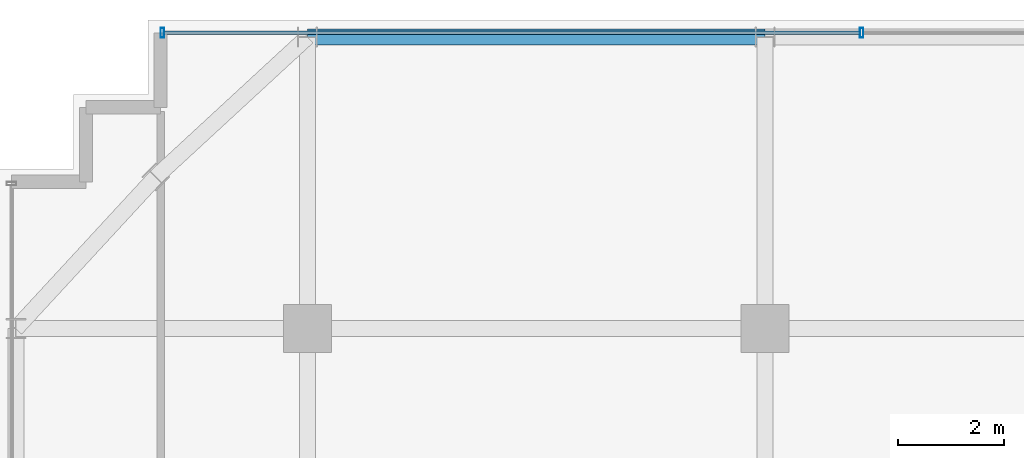
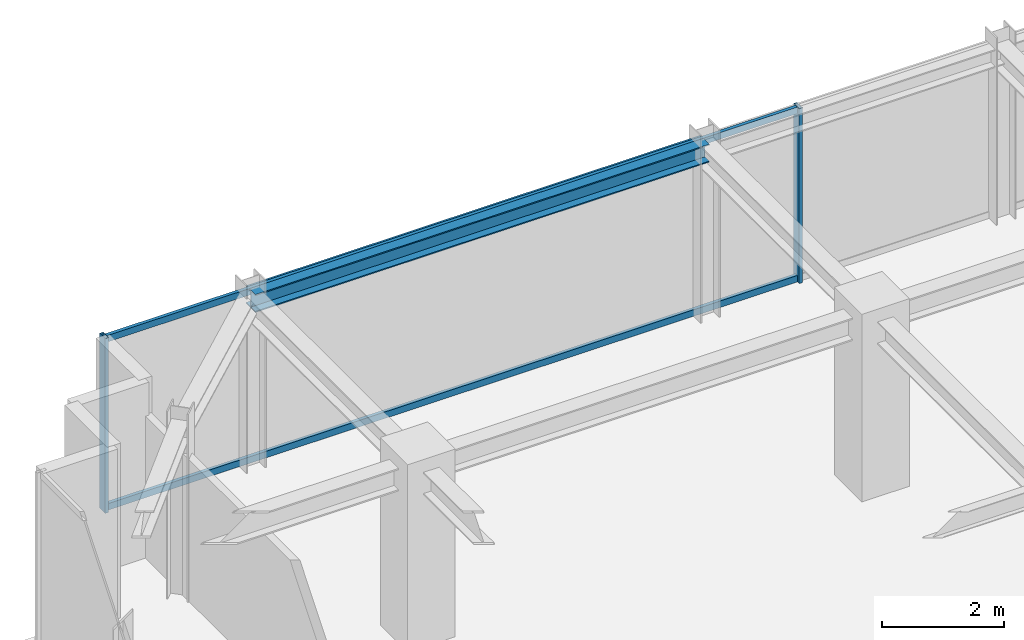
# One storey, part 19 of 32: 4 members, 1 beam, 1 element without a shape of its own.
"""IFC4 building model written with IfcOpenShell, lengths in metres."""

from ifc_helpers import new_model, si_unit, direction, frame, origin, origin_2d, place, context, subcontext, project, spatial, hollow_rectangle, i_section, extrude, source, transform, mapped, material, material_profile, profile_set, type_object, element, aggregate, save


model = new_model("IFC4")

# Units and contexts
model_context = context("Model", 3, precision=1e-05, world=origin(), true_north=direction((0.0, 1.0)))
body_context = subcontext(model_context, "Body", "Model", "MODEL_VIEW")
ifc_project = project(units=[si_unit("LENGTHUNIT", "METRE"), si_unit("AREAUNIT", "SQUARE_METRE"), si_unit("VOLUMEUNIT", "CUBIC_METRE"), si_unit("PLANEANGLEUNIT", "RADIAN"), si_unit("MASSUNIT", "GRAM", prefix="KILO")], contexts=[model_context])

# Site, building, storey
site_placement = place(None, origin())
site = spatial("IfcSite", under=ifc_project, at=site_placement, CompositionType="ELEMENT")
building_placement = place(site_placement, origin())
building = spatial("IfcBuilding", under=site, at=building_placement, Name="Nahalor Promenade Grand Hotel", CompositionType="ELEMENT")
storey_placement = place(building_placement, frame((0.0, 0.0, 330.949951171875)))
storey = spatial("IfcBuildingStorey", under=building, at=storey_placement, Name="L85", CompositionType="ELEMENT", Elevation=330.949951171875)

# Beam
ifc_material_1 = material(Name="Steel S355JR", Category="steel")
ifc_material_profile_1 = material_profile(ifc_material_1, i_section(OverallWidth=0.3, OverallDepth=0.36, WebThickness=0.0125, FlangeThickness=0.0225, at=origin_2d()), Name="HEB 360")
ifc_profile_set_1 = profile_set([ifc_material_profile_1], Name="Steel S355JR")
beam_type = type_object("IfcBeamType", Name="Beam-Spandrel-HEB360", PredefinedType="SPANDREL", material=ifc_profile_set_1)
shared_shape_1 = source(origin(), body_context, "Body", "SweptSolid", [
    extrude(i_section(OverallWidth=0.3, OverallDepth=0.36, WebThickness=0.0125, FlangeThickness=0.0225, at=origin_2d()), origin(), (0.0, 0.0, 1.0), 8.60009765625),
])
beam_placement = place(storey_placement, frame((-17.0, 22.47998046875, 3.320068359375), z_axis=(1.0, 0.0, 0.0), x_axis=(0.0, 1.0, 0.0)))
element("IfcBeam", 1, at=beam_placement, inside=storey, type_object=beam_type, Name="BM-L85-SP-N-0", PredefinedType="SPANDREL", context=body_context, shape_type="MappedRepresentation", body=[
    mapped(shared_shape_1, transform((0.0, 0.0, 0.0), scale=1.0)),
])

# Curtain wall, members
ifc_material_2 = material(Name="Anodised Bronze Aluminium EN AW-6063 T6", Category="aluminium")
curtain_wall_type = type_object("IfcCurtainWallType", Name="CW2 Typical Hotel Flush Bronze Unitised Curtain Wall", PredefinedType="USERDEFINED", material=ifc_material_2)
curtain_wall_placement = place(storey_placement, origin())
curtain_wall = element("IfcCurtainWall", 2, at=curtain_wall_placement, inside=storey, type_object=curtain_wall_type, Name="L85 Curtain Wall CW-L85-N-1", ObjectType="UNITISED_CURTAIN_WALL", PredefinedType="USERDEFINED")
ifc_material_profile_2 = material_profile(ifc_material_2, hollow_rectangle(XDim=0.065, YDim=0.13, WallThickness=0.004, at=origin_2d()), Name="CWT 65x130x4")
ifc_profile_set_2 = profile_set([ifc_material_profile_2], Name="Anodised Bronze Aluminium EN AW-6063 T6")
member_type_1 = type_object("IfcMemberType", Name="CWT2 Typical Bronze Transom 65x130", PredefinedType="USERDEFINED", material=ifc_profile_set_2)
shared_shape_2 = source(origin(), body_context, "Body", "SweptSolid", [
    extrude(hollow_rectangle(XDim=0.065, YDim=0.13, WallThickness=0.004, at=origin_2d()), origin(), (0.0, 0.0, 1.0), 13.075927734375),
])
member_1_placement = place(storey_placement, frame((-19.695068359375, 22.56005859375, 0.06494140625), z_axis=(1.0, 0.0, 0.0), x_axis=(0.0, 1.0, 0.0)))
member_1 = element("IfcMember", 3, at=member_1_placement, type_object=member_type_1, Name="CW-L85-N-1 Transom 0-0", ObjectType="TRANSOM", PredefinedType="USERDEFINED", context=body_context, shape_type="MappedRepresentation", body=[
    mapped(shared_shape_2, transform((0.0, 0.0, 0.0), scale=1.0)),
])
member_2_placement = place(storey_placement, frame((-19.695068359375, 22.56005859375, 3.43505859375), z_axis=(1.0, 0.0, 0.0), x_axis=(0.0, 1.0, 0.0)))
member_2 = element("IfcMember", 4, at=member_2_placement, type_object=member_type_1, Name="CW-L85-N-1 Transom 0-1", ObjectType="TRANSOM", PredefinedType="USERDEFINED", context=body_context, shape_type="MappedRepresentation", body=[
    mapped(shared_shape_2, transform((0.0, 0.0, 0.0), scale=1.0)),
])
ifc_material_profile_3 = material_profile(ifc_material_2, hollow_rectangle(XDim=0.065, YDim=0.18, WallThickness=0.004, at=origin_2d()), Name="CWM 65x180x4")
ifc_profile_set_3 = profile_set([ifc_material_profile_3], Name="Anodised Bronze Aluminium EN AW-6063 T6")
member_type_2 = type_object("IfcMemberType", Name="CWM2 Typical Bronze Mullion 65x180", PredefinedType="MULLION", material=ifc_profile_set_3)
shared_shape_3 = source(origin(), body_context, "Body", "SweptSolid", [
    extrude(hollow_rectangle(XDim=0.065, YDim=0.18, WallThickness=0.004, at=origin_2d()), origin(), (0.0, 0.0, 1.0), 3.5),
])
member_3_placement = place(storey_placement, frame((-19.7275390625, 22.56005859375, 0.0), z_axis=(0.0, 0.0, 1.0), x_axis=(1.0, 0.0, 0.0)))
member_3 = element("IfcMember", 5, at=member_3_placement, type_object=member_type_2, Name="CW-L85-N-1 Mullion 0", PredefinedType="MULLION", context=body_context, shape_type="MappedRepresentation", body=[
    mapped(shared_shape_3, transform((0.0, 0.0, 0.0), scale=1.0)),
])
member_4_placement = place(storey_placement, frame((-6.586669921875, 22.56005859375, 0.0), z_axis=(0.0, 0.0, 1.0), x_axis=(1.0, 0.0, 0.0)))
member_4 = element("IfcMember", 6, at=member_4_placement, type_object=member_type_2, Name="CW-L85-N-1 Mullion 1", PredefinedType="MULLION", context=body_context, shape_type="MappedRepresentation", body=[
    mapped(shared_shape_3, transform((0.0, 0.0, 0.0), scale=1.0)),
])
aggregate(curtain_wall, [member_3, member_4, member_1, member_2])

save(model, "model.ifc")
